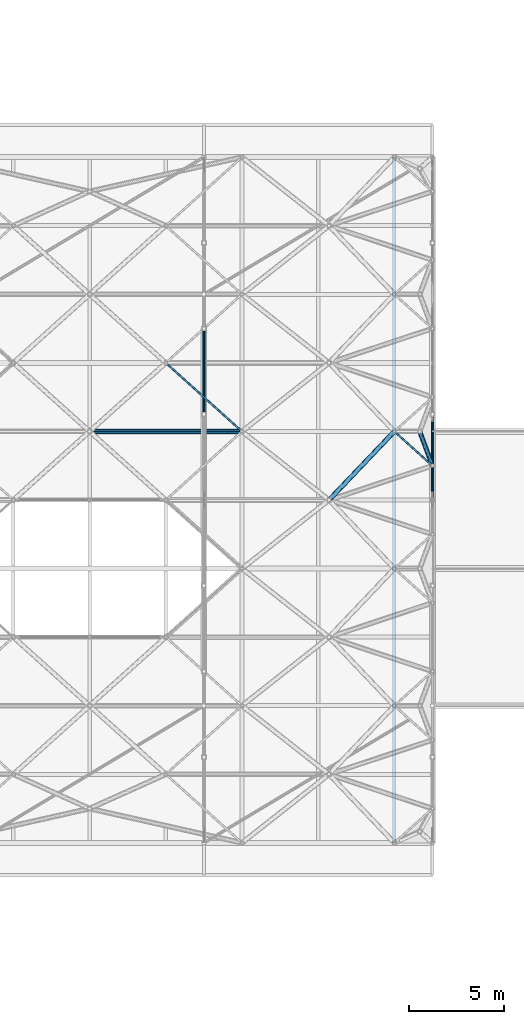
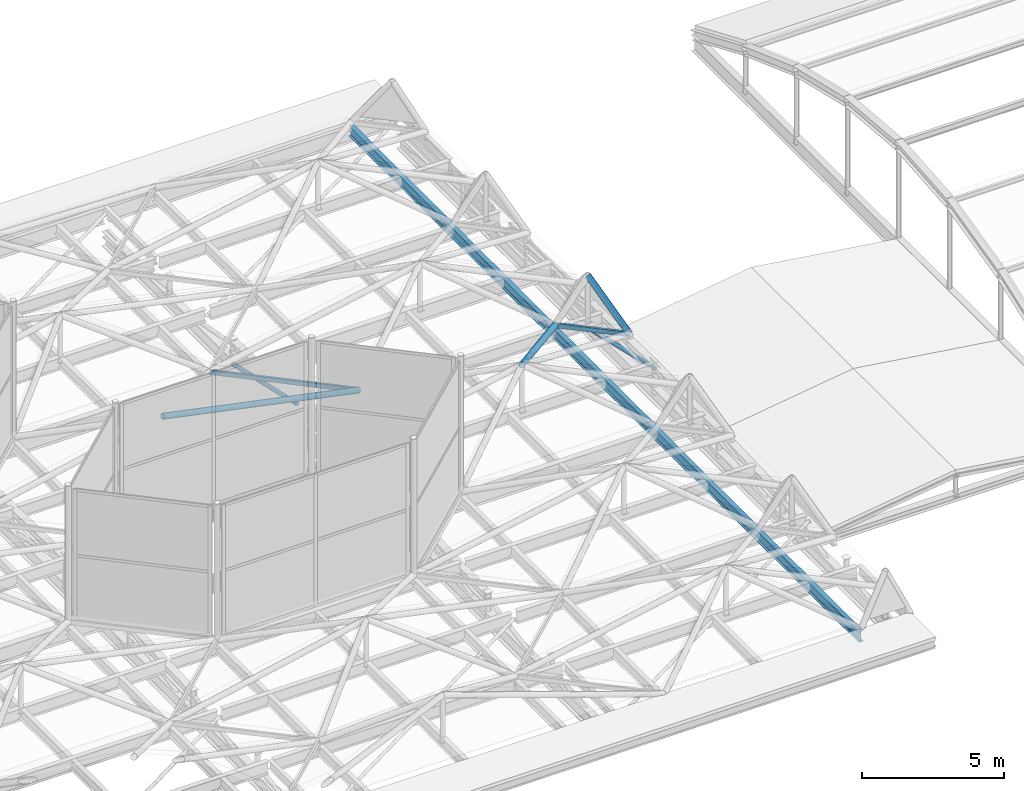
# One storey, part 138 of 239: 5 members, 3 beams.
"""IFC4 building model written with IfcOpenShell, lengths in metres."""

from ifc_helpers import new_model, si_unit, direction, frame, origin, origin_2d, place, context, subcontext, project, spatial, hollow_rectangle, hollow_circle, i_section, extrude, material, material_profile, profile_set, type_object, element, save


model = new_model("IFC4")

# Units and contexts
model_context = context("Model", 3, precision=1e-05, world=origin(), true_north=direction((0.0, 1.0)))
body_context = subcontext(model_context, "Body", "Model", "MODEL_VIEW")
ifc_project = project(units=[si_unit("LENGTHUNIT", "METRE"), si_unit("AREAUNIT", "SQUARE_METRE"), si_unit("VOLUMEUNIT", "CUBIC_METRE"), si_unit("PLANEANGLEUNIT", "RADIAN"), si_unit("MASSUNIT", "GRAM", prefix="KILO")], contexts=[model_context])

# Site, building, storey
site_placement = place(None, origin())
site = spatial("IfcSite", under=ifc_project, at=site_placement, CompositionType="ELEMENT")
building_placement = place(site_placement, origin())
building = spatial("IfcBuilding", under=site, at=building_placement, Name="Dunvalen Ferry Terminal", CompositionType="ELEMENT")
storey_placement = place(building_placement, frame((0.0, 0.0, 9.840087890625)))
storey = spatial("IfcBuildingStorey", under=building, at=storey_placement, Name="L02", CompositionType="ELEMENT", Elevation=9.840087890625)

# Beams
ifc_material = material(Name="Steel S355", Category="steel")
ifc_material_profile_1 = material_profile(ifc_material, hollow_rectangle(XDim=0.10009765625, YDim=0.199951171875, WallThickness=0.008056640625, InnerFilletRadius=0.008056640625, OuterFilletRadius=0.01611328125, at=origin_2d()), Name="Steel S355")
ifc_profile_set_1 = profile_set([ifc_material_profile_1], Name="Steel S355")
beam_type_1 = type_object("IfcBeamType", Name="STR-BM-RHS200", PredefinedType="BEAM", material=ifc_profile_set_1)
beam_1_placement = place(storey_placement, frame((86.0, 72.0, 1.099853515625), z_axis=(-0.743285123004, 0.668974757313, 0.0), x_axis=(-0.668974757313, -0.743285123004, 0.0)))
element("IfcBeam", 1, at=beam_1_placement, inside=storey, type_object=beam_type_1, Name="HEX-37 Hexagonal Rim Beam 4", PredefinedType="BEAM", context=body_context, shape_type="SweptSolid", body=[
    extrude(hollow_rectangle(XDim=0.10009765625, YDim=0.199951171875, WallThickness=0.008056640625, InnerFilletRadius=0.008056640625, OuterFilletRadius=0.01611328125, at=origin_2d()), origin(), (0.0, 0.0, 1.0), 5.381591796875),
])
beam_2_placement = place(storey_placement, frame((96.0, 70.199951171875, 1.099853515625), z_axis=(-0.743285123004, 0.668974757313, 0.0), x_axis=(-0.668974757313, -0.743285123004, 0.0)))
element("IfcBeam", 2, at=beam_2_placement, inside=storey, type_object=beam_type_1, Name="HEX-42 Hexagonal Rim Beam 5", PredefinedType="BEAM", context=body_context, shape_type="SweptSolid", body=[
    extrude(hollow_rectangle(XDim=0.10009765625, YDim=0.199951171875, WallThickness=0.008056640625, InnerFilletRadius=0.008056640625, OuterFilletRadius=0.01611328125, at=origin_2d()), origin(), (0.0, 0.0, 1.0), 2.690673828125),
])
ifc_material_profile_2 = material_profile(ifc_material, i_section(OverallWidth=0.1904296875, OverallDepth=0.45703125, WebThickness=0.009033203125, FlangeThickness=0.014404296875, FilletRadius=0.01025390625, at=origin_2d()), Name="Steel S355")
ifc_profile_set_2 = profile_set([ifc_material_profile_2], Name="Steel S355")
beam_type_2 = type_object("IfcBeamType", Name="STR-BM-UKB457", PredefinedType="BEAM", material=ifc_profile_set_2)
beam_3_placement = place(storey_placement, frame((94.0, 50.39990234375, 0.771484375), z_axis=(0.0, 1.0, 0.0), x_axis=(-1.0, 0.0, 0.0)))
element("IfcBeam", 3, at=beam_3_placement, inside=storey, type_object=beam_type_2, Name="Departure Hall Hex-Grid Cross Beam B7.3", PredefinedType="BEAM", context=body_context, shape_type="SweptSolid", body=[
    extrude(i_section(OverallWidth=0.1904296875, OverallDepth=0.45703125, WebThickness=0.009033203125, FlangeThickness=0.014404296875, FilletRadius=0.01025390625, at=origin_2d()), origin(), (0.0, 0.0, 1.0), 36.0),
])

# Members
ifc_material_profile_3 = material_profile(ifc_material, hollow_circle(Radius=0.084228515625, WallThickness=0.008056640625, at=origin_2d()), Name="Steel S355")
ifc_profile_set_3 = profile_set([ifc_material_profile_3], Name="Steel S355")
member_type_1 = type_object("IfcMemberType", Name="STR-MB-CHS168", PredefinedType="BRACE", material=ifc_profile_set_3)
member_1_placement = place(storey_placement, frame((84.0, 72.89990234375, 0.65869140625), z_axis=(0.0, 0.975316524259, -0.220811407104), x_axis=(-1.0, 0.0, 0.0)))
element("IfcMember", 4, at=member_1_placement, inside=storey, type_object=member_type_1, Name="Departure Hall Arch Web Diagonal 07.6", PredefinedType="BRACE", context=body_context, shape_type="SweptSolid", body=[
    extrude(hollow_circle(Radius=0.084228515625, WallThickness=0.008056640625, at=origin_2d()), origin(), (0.0, 0.0, 1.0), 4.61376953125),
])
member_2_placement = place(storey_placement, frame((96.0, 68.39990234375, 0.719970703125), z_axis=(0.0, 0.972383470914, -0.233388914677), x_axis=(-1.0, 0.0, 0.0)))
element("IfcMember", 5, at=member_2_placement, inside=storey, type_object=member_type_1, Name="Departure Hall Arch Web Diagonal 08.5", PredefinedType="BRACE", context=body_context, shape_type="SweptSolid", body=[
    extrude(hollow_circle(Radius=0.084228515625, WallThickness=0.008056640625, at=origin_2d()), origin(), (0.0, 0.0, 1.0), 4.627685546875),
])
ifc_material_profile_4 = material_profile(ifc_material, hollow_circle(Radius=0.122314453125, WallThickness=0.010009765625, at=origin_2d()), Name="Steel S355")
ifc_profile_set_4 = profile_set([ifc_material_profile_4], Name="Steel S355")
member_type_2 = type_object("IfcMemberType", Name="STR-MB-CHS244", PredefinedType="STRUT", material=ifc_profile_set_4)
member_3_placement = place(storey_placement, frame((86.0, 72.0, 1.099853515625), z_axis=(-0.979020171275, 0.0, 0.203763353518), x_axis=(0.0, -1.0, 0.0)))
element("IfcMember", 6, at=member_3_placement, inside=storey, type_object=member_type_2, Name="HEX-37 Pyramid Hip Rafter 4", PredefinedType="STRUT", context=body_context, shape_type="SweptSolid", body=[
    extrude(hollow_circle(Radius=0.122314453125, WallThickness=0.010009765625, at=origin_2d()), origin(), (0.0, 0.0, 1.0), 8.17138671875),
])
member_4_placement = place(storey_placement, frame((94.0, 72.0, 1.099853515625), z_axis=(-0.653958936196, -0.686647570005, 0.317573337002), x_axis=(0.724133259713, -0.689660077269, 0.0)))
element("IfcMember", 7, at=member_4_placement, inside=storey, type_object=member_type_2, Name="HEX-42 Pyramid Hip Rafter 6", PredefinedType="STRUT", context=body_context, shape_type="SweptSolid", body=[
    extrude(hollow_circle(Radius=0.122314453125, WallThickness=0.010009765625, at=origin_2d()), origin(), (0.0, 0.0, 1.0), 5.242919921875),
])
member_5_placement = place(storey_placement, frame((96.0, 70.199951171875, 1.099853515625), z_axis=(-0.262387740737, 0.708379645717, 0.65524877035), x_axis=(-0.937738020856, -0.34734335209, 0.0)))
element("IfcMember", 8, at=member_5_placement, inside=storey, type_object=member_type_2, Name="HEX-48 Pyramid Hip Rafter 3", PredefinedType="STRUT", context=body_context, shape_type="SweptSolid", body=[
    extrude(hollow_circle(Radius=0.122314453125, WallThickness=0.010009765625, at=origin_2d()), origin(), (0.0, 0.0, 1.0), 2.541015625),
])

save(model, "model.ifc")
